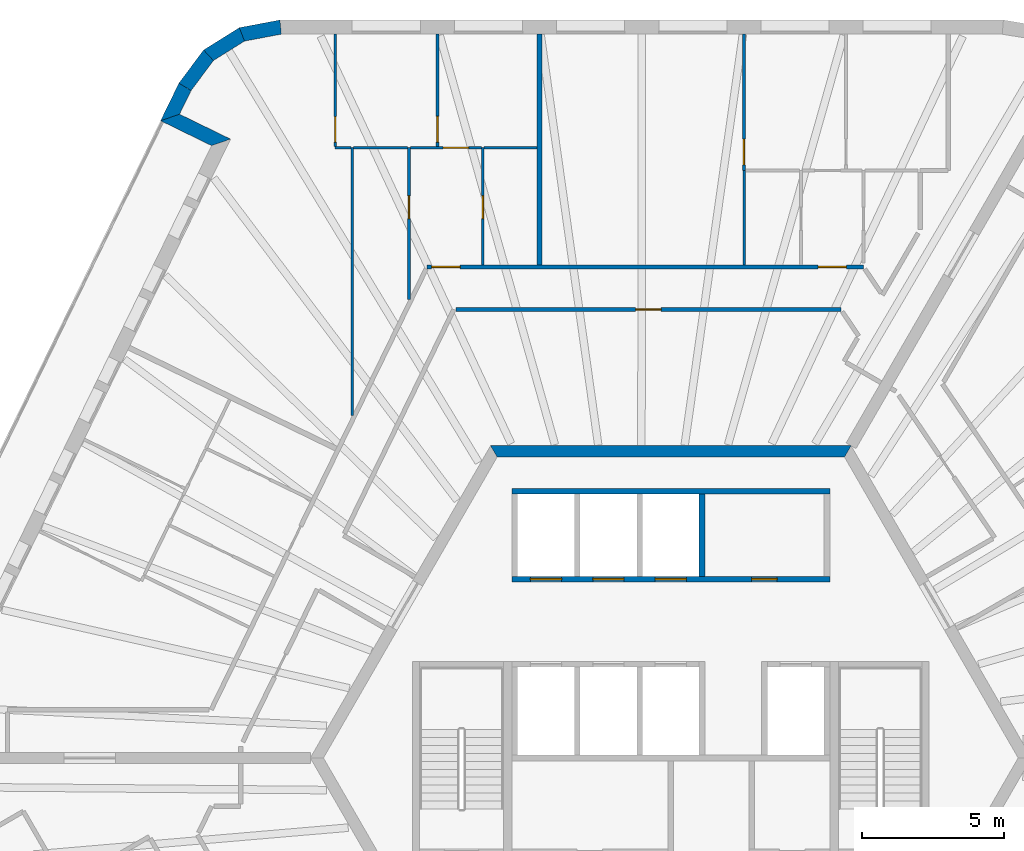
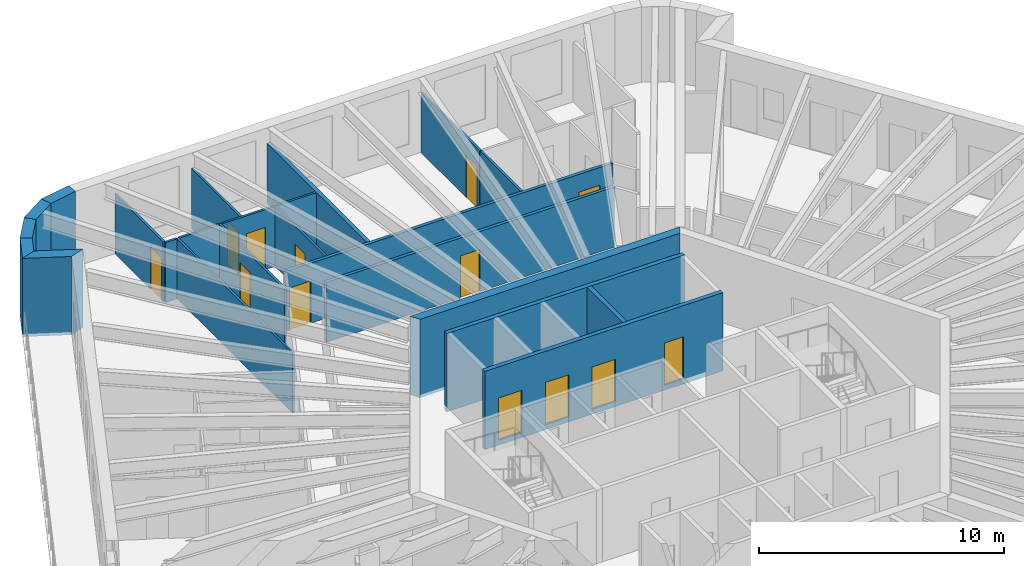
# One storey, part 9 of 12: 23 walls, 13 doors, 13 openings.
"""IFC4 building model written with IfcOpenShell, lengths in metres."""

from ifc_helpers import new_model, si_unit, direction, frame, frame_2d, origin, place, context, subcontext, project, spatial, polyline, rectangle, outline, extrude, material, layer, layer_set, type_object, element, fill, save


model = new_model("IFC4")

# Units and contexts
model_context = context("Model", 3, precision=1e-05, world=origin(), true_north=direction((0.0, 1.0)))
body_context = subcontext(model_context, "Body", "Model", "MODEL_VIEW")
ifc_project = project(units=[si_unit("LENGTHUNIT", "METRE"), si_unit("AREAUNIT", "SQUARE_METRE"), si_unit("VOLUMEUNIT", "CUBIC_METRE"), si_unit("PLANEANGLEUNIT", "RADIAN"), si_unit("MASSUNIT", "GRAM", prefix="KILO")], contexts=[model_context])

# Site, building, storey
site_placement = place(None, origin())
site = spatial("IfcSite", under=ifc_project, at=site_placement, CompositionType="ELEMENT")
building_placement = place(site_placement, origin())
building = spatial("IfcBuilding", under=site, at=building_placement, Name="Tarnside Tower", CompositionType="ELEMENT")
storey_placement = place(building_placement, frame((0.0, 0.0, 283.5)))
storey = spatial("IfcBuildingStorey", under=building, at=storey_placement, Name="L68", CompositionType="ELEMENT", Elevation=283.5)

# Walls
ifc_material_1 = material(Name="Gypsum board partition on steel studs", Category="steel")
ifc_layer_1 = layer(ifc_material_1, 0.10009765625)
ifc_layer_set_1 = layer_set([ifc_layer_1], Name="Bathroom wall 100")
wall_type_1 = type_object("IfcWallType", Name="Bathroom wall 100", PredefinedType="PARTITIONING", material=ifc_layer_set_1)
wall_1_placement = place(storey_placement, frame((2.586181640625, 17.375, 0.0), z_axis=(0.0, 0.0, 1.0), x_axis=(0.0, 1.0, 0.0)))
element("IfcWall", 1, at=wall_1_placement, inside=storey, type_object=wall_type_1, Name="Bathroom wall 22084", PredefinedType="PARTITIONING", context=body_context, shape_type="SweptSolid", body=[
    extrude(rectangle(XDim=3.324951171875, YDim=0.10009765625, at=frame_2d((1.66259765625, 0.0))), origin(), (0.0, 0.0, 1.0), 2.98779296875),
])
wall_2_placement = place(storey_placement, frame((-11.224853515625, 12.058837890625, 0.0), z_axis=(0.0, 0.0, 1.0), x_axis=(0.0, 1.0, 0.0)))
element("IfcWall", 2, at=wall_2_placement, inside=storey, type_object=wall_type_1, Name="Bathroom wall 22097", PredefinedType="PARTITIONING", context=body_context, shape_type="SweptSolid", body=[
    extrude(rectangle(XDim=9.441162109375, YDim=0.10009765625, at=frame_2d((4.720703125, 0.0))), origin(), (0.0, 0.0, 1.0), 2.98779296875),
])

# Wall, opening, door
wall_3_placement = place(storey_placement, frame((-6.624755859375, 17.375, 0.0), z_axis=(0.0, 0.0, 1.0), x_axis=(0.0, 1.0, 0.0)))
wall_3 = element("IfcWall", 3, at=wall_3_placement, inside=storey, type_object=wall_type_1, Name="Bathroom wall 22100", PredefinedType="PARTITIONING", context=body_context, shape_type="SweptSolid", body=[
    extrude(rectangle(XDim=4.125, YDim=0.10009765625, at=frame_2d((2.0625, 0.0))), origin(), (0.0, 0.0, 1.0), 2.98779296875),
])
opening_1_placement = place(wall_3_placement, frame((1.625, 0.0, 0.0)))
opening_1 = element("IfcOpeningElement", 4, at=opening_1_placement, cuts=wall_3, Name="Opening D-B1", PredefinedType="OPENING", context=body_context, shape_type="SweptSolid", body=[
    extrude(rectangle(XDim=0.800048828125, YDim=2.10009765625, at=frame_2d((0.39990234375, 1.050048828125))), frame((0.0, 0.06005859375, 0.0), z_axis=(0.0, -1.0, 0.0), x_axis=(1.0, 0.0, 0.0)), (0.0, 0.0, 1.0), 0.1201171875),
])
ifc_material_2 = material(Name="Timber door leaf", Category="wood")
door_type_1 = type_object("IfcDoorType", Name="Bathroom door 800", OperationType="NOTDEFINED", PredefinedType="DOOR", material=ifc_material_2)
door_1_placement = place(opening_1_placement, origin())
door_1 = element("IfcDoor", 5, at=door_1_placement, inside=storey, type_object=door_type_1, Name="Bathroom door 22013", OperationType="SINGLE_SWING_RIGHT", OverallHeight=2.10009765625, OverallWidth=0.800048828125, PredefinedType="DOOR", context=body_context, shape_type="SweptSolid", body=[
    extrude(rectangle(XDim=0.800048828125, YDim=2.10009765625, at=frame_2d((0.39990234375, 1.050048828125))), frame((0.0, 0.02490234375, 0.0), z_axis=(0.0, -1.0, 0.0), x_axis=(1.0, 0.0, 0.0)), (0.0, 0.0, 1.0), 0.050048828125),
])
fill(opening_1, door_1)

wall_4_placement = place(storey_placement, frame((-9.224853515625, 21.5, 0.0), z_axis=(0.0, 0.0, 1.0), x_axis=(0.0, -1.0, 0.0)))
wall_4 = element("IfcWall", 6, at=wall_4_placement, inside=storey, type_object=wall_type_1, Name="Bathroom wall 22103", PredefinedType="PARTITIONING", context=body_context, shape_type="SweptSolid", body=[
    extrude(rectangle(XDim=5.340576171875, YDim=0.10009765625, at=frame_2d((2.67041015625, 0.0))), origin(), (0.0, 0.0, 1.0), 2.98779296875),
])
opening_2_placement = place(wall_4_placement, frame((1.699951171875, 0.0, 0.0)))
opening_2 = element("IfcOpeningElement", 7, at=opening_2_placement, cuts=wall_4, Name="Opening D-B1", PredefinedType="OPENING", context=body_context, shape_type="SweptSolid", body=[
    extrude(rectangle(XDim=0.800048828125, YDim=2.10009765625, at=frame_2d((0.39990234375, 1.050048828125))), frame((0.0, 0.06005859375, 0.0), z_axis=(0.0, -1.0, 0.0), x_axis=(1.0, 0.0, 0.0)), (0.0, 0.0, 1.0), 0.1201171875),
])
door_2_placement = place(opening_2_placement, origin())
door_2 = element("IfcDoor", 8, at=door_2_placement, inside=storey, type_object=door_type_1, Name="Bathroom door 22020", OperationType="SINGLE_SWING_RIGHT", OverallHeight=2.10009765625, OverallWidth=0.800048828125, PredefinedType="DOOR", context=body_context, shape_type="SweptSolid", body=[
    extrude(rectangle(XDim=0.800048828125, YDim=2.10009765625, at=frame_2d((0.39990234375, 1.050048828125))), frame((0.0, 0.02490234375, 0.0), z_axis=(0.0, -1.0, 0.0), x_axis=(1.0, 0.0, 0.0)), (0.0, 0.0, 1.0), 0.050048828125),
])
fill(opening_2, door_2)

# Walls
wall_5_placement = place(storey_placement, frame((-4.71484375, 21.5, 0.0), z_axis=(0.0, 0.0, 1.0), x_axis=(-1.0, 0.0, 0.0)))
element("IfcWall", 9, at=wall_5_placement, inside=storey, type_object=wall_type_1, Name="Bathroom wall 22104", PredefinedType="PARTITIONING", context=body_context, shape_type="SweptSolid", body=[
    extrude(rectangle(XDim=1.862060546875, YDim=0.10009765625, at=frame_2d((0.93115234375, 0.0))), origin(), (0.0, 0.0, 1.0), 2.98779296875),
])
wall_6_placement = place(storey_placement, frame((-11.1748046875, 21.5, 0.0), z_axis=(0.0, 0.0, 1.0), x_axis=(1.0, 0.0, 0.0)))
element("IfcWall", 10, at=wall_6_placement, inside=storey, type_object=wall_type_1, Name="Bathroom wall 22106", PredefinedType="PARTITIONING", context=body_context, shape_type="SweptSolid", body=[
    extrude(rectangle(XDim=1.89990234375, YDim=0.10009765625, at=frame_2d((0.949951171875, 0.0))), origin(), (0.0, 0.0, 1.0), 2.98779296875),
])
ifc_material_3 = material(Name="Concrete C60/75", Category="concrete")
ifc_layer_2 = layer(ifc_material_3, 0.39990234375)
ifc_layer_set_2 = layer_set([ifc_layer_2], Name="Core wall Z3 400 C60/75")
wall_type_2 = type_object("IfcWallType", Name="Core wall Z3 400 C60/75", PredefinedType="SHEAR", material=ifc_layer_set_2)
wall_7_placement = place(storey_placement, frame((6.2353515625, 10.800048828125, -0.14990234375), z_axis=(0.0, 0.0, 1.0), x_axis=(-1.0, 0.0, 0.0)))
element("IfcWall", 11, at=wall_7_placement, inside=storey, type_object=wall_type_2, Name="L68 core wall face 1", PredefinedType="SHEAR", context=body_context, shape_type="SweptSolid", body=[
    extrude(outline(polyline([(-0.115478515625, -0.199951171875), (12.586181640625, -0.199951171875), (12.355224609375, 0.199951171875), (0.115478515625, 0.199951171875), (-0.115478515625, -0.199951171875)])), origin(), (0.0, 0.0, 1.0), 3.89990234375),
])

# Wall, openings, doors
ifc_layer_3 = layer(ifc_material_1, 0.14990234375)
ifc_layer_set_3 = layer_set([ifc_layer_3], Name="Corridor wall 150 EI 60")
wall_type_3 = type_object("IfcWallType", Name="Corridor wall 150 EI 60", PredefinedType="PARTITIONING", material=ifc_layer_set_3)
wall_8_placement = place(storey_placement, frame((6.7861328125, 17.300048828125, 0.0), z_axis=(0.0, 0.0, 1.0), x_axis=(-1.0, 0.0, 0.0)))
wall_8 = element("IfcWall", 12, at=wall_8_placement, inside=storey, type_object=wall_type_3, Name="Corridor wall 22001", PredefinedType="PARTITIONING", context=body_context, shape_type="SweptSolid", body=[
    extrude(rectangle(XDim=15.37109375, YDim=0.14990234375, at=frame_2d((7.685546875, 0.0))), origin(), (0.0, 0.0, 1.0), 2.98779296875),
])
opening_3_placement = place(wall_8_placement, frame((0.60009765625, 0.0, 0.0)))
opening_3 = element("IfcOpeningElement", 13, at=opening_3_placement, cuts=wall_8, Name="Opening D-E1", PredefinedType="OPENING", context=body_context, shape_type="SweptSolid", body=[
    extrude(rectangle(XDim=1.0, YDim=2.10009765625, at=frame_2d((0.5, 1.050048828125))), frame((0.0, 0.0849609375, 0.0), z_axis=(0.0, -1.0, 0.0), x_axis=(1.0, 0.0, 0.0)), (0.0, 0.0, 1.0), 0.169921875),
])
opening_4_placement = place(wall_8_placement, frame((14.2109375, 0.0, 0.0)))
opening_4 = element("IfcOpeningElement", 14, at=opening_4_placement, cuts=wall_8, Name="Opening D-E1", PredefinedType="OPENING", context=body_context, shape_type="SweptSolid", body=[
    extrude(rectangle(XDim=1.0, YDim=2.10009765625, at=frame_2d((0.5, 1.050048828125))), frame((0.0, 0.0849609375, 0.0), z_axis=(0.0, -1.0, 0.0), x_axis=(1.0, 0.0, 0.0)), (0.0, 0.0, 1.0), 0.169921875),
])
door_type_2 = type_object("IfcDoorType", Name="Unit entrance door 1000 FD30S", OperationType="NOTDEFINED", PredefinedType="DOOR", material=ifc_material_2)
door_3_placement = place(opening_3_placement, origin())
door_3 = element("IfcDoor", 15, at=door_3_placement, inside=storey, type_object=door_type_2, Name="Unit door 22001", OperationType="SINGLE_SWING_LEFT", OverallHeight=2.10009765625, OverallWidth=1.0, PredefinedType="DOOR", context=body_context, shape_type="SweptSolid", body=[
    extrude(rectangle(XDim=1.0, YDim=2.10009765625, at=frame_2d((0.5, 1.050048828125))), frame((0.0, 0.02490234375, 0.0), z_axis=(0.0, -1.0, 0.0), x_axis=(1.0, 0.0, 0.0)), (0.0, 0.0, 1.0), 0.050048828125),
])
fill(opening_3, door_3)
door_4_placement = place(opening_4_placement, origin())
door_4 = element("IfcDoor", 16, at=door_4_placement, inside=storey, type_object=door_type_2, Name="Unit door 22012", OperationType="SINGLE_SWING_LEFT", OverallHeight=2.10009765625, OverallWidth=1.0, PredefinedType="DOOR", context=body_context, shape_type="SweptSolid", body=[
    extrude(rectangle(XDim=1.0, YDim=2.10009765625, at=frame_2d((0.5, 1.050048828125))), frame((0.0, 0.02490234375, 0.0), z_axis=(0.0, -1.0, 0.0), x_axis=(1.0, 0.0, 0.0)), (0.0, 0.0, 1.0), 0.050048828125),
])
fill(opening_4, door_4)

# Wall, opening, door
wall_9_placement = place(storey_placement, frame((-7.564208984375, 15.800048828125, 0.0), z_axis=(0.0, 0.0, 1.0), x_axis=(1.0, 0.0, 0.0)))
wall_9 = element("IfcWall", 17, at=wall_9_placement, inside=storey, type_object=wall_type_3, Name="Corridor wall 22022", PredefinedType="PARTITIONING", context=body_context, shape_type="SweptSolid", body=[
    extrude(rectangle(XDim=13.552734375, YDim=0.14990234375, at=frame_2d((6.7763671875, 0.0))), origin(), (0.0, 0.0, 1.0), 2.98779296875),
])
opening_5_placement = place(wall_9_placement, frame((6.326416015625, 0.0, 0.0)))
opening_5 = element("IfcOpeningElement", 18, at=opening_5_placement, cuts=wall_9, Name="Opening D-S1", PredefinedType="OPENING", context=body_context, shape_type="SweptSolid", body=[
    extrude(rectangle(XDim=0.89990234375, YDim=2.10009765625, at=frame_2d((0.449951171875, 1.050048828125))), frame((0.0, 0.0849609375, 0.0), z_axis=(0.0, -1.0, 0.0), x_axis=(1.0, 0.0, 0.0)), (0.0, 0.0, 1.0), 0.169921875),
])
door_type_3 = type_object("IfcDoorType", Name="Service room door 900 FD30S", OperationType="NOTDEFINED", PredefinedType="DOOR", material=ifc_material_2)
door_5_placement = place(opening_5_placement, origin())
door_5 = element("IfcDoor", 19, at=door_5_placement, inside=storey, type_object=door_type_3, Name="Service door 22086", OperationType="SINGLE_SWING_LEFT", OverallHeight=2.10009765625, OverallWidth=0.89990234375, PredefinedType="DOOR", context=body_context, shape_type="SweptSolid", body=[
    extrude(rectangle(XDim=0.89990234375, YDim=2.10009765625, at=frame_2d((0.449951171875, 1.050048828125))), frame((0.0, 0.02490234375, 0.0), z_axis=(0.0, -1.0, 0.0), x_axis=(1.0, 0.0, 0.0)), (0.0, 0.0, 1.0), 0.050048828125),
])
fill(opening_5, door_5)

# Wall
ifc_layer_4 = layer(ifc_material_1, 0.179931640625)
ifc_layer_set_4 = layer_set([ifc_layer_4], Name="Demising wall 180 EI 60")
wall_type_4 = type_object("IfcWallType", Name="Demising wall 180 EI 60", PredefinedType="PARTITIONING", material=ifc_layer_set_4)
wall_10_placement = place(storey_placement, frame((-4.624755859375, 25.5, 0.0), z_axis=(0.0, 0.0, 1.0), x_axis=(0.0, -1.0, 0.0)))
element("IfcWall", 20, at=wall_10_placement, inside=storey, type_object=wall_type_4, Name="Demising wall 22086", PredefinedType="PARTITIONING", context=body_context, shape_type="SweptSolid", body=[
    extrude(rectangle(XDim=8.125, YDim=0.179931640625, at=frame_2d((4.0625, 0.0))), origin(), (0.0, 0.0, 1.0), 2.98779296875),
])

# Wall, openings, doors
ifc_material_4 = material(Name="Concrete C40/50", Category="concrete")
ifc_layer_5 = layer(ifc_material_4, 0.199951171875)
ifc_layer_set_5 = layer_set([ifc_layer_5], Name="Lift shaft wall 200 C40/50")
wall_type_5 = type_object("IfcWallType", Name="Lift shaft wall 200 C40/50", PredefinedType="SHEAR", material=ifc_layer_set_5)
wall_11_placement = place(storey_placement, frame((-5.60009765625, 6.300048828125, -0.25), z_axis=(0.0, 0.0, 1.0), x_axis=(1.0, 0.0, 0.0)))
wall_11 = element("IfcWall", 21, at=wall_11_placement, inside=storey, type_object=wall_type_5, Name="L68 lift shaft front wall R1", PredefinedType="SHEAR", context=body_context, shape_type="SweptSolid", body=[
    extrude(rectangle(XDim=11.2001953125, YDim=0.199951171875, at=frame_2d((5.60009765625, 0.0))), origin(), (0.0, 0.0, 1.0), 3.89990234375),
])
opening_6_placement = place(wall_11_placement, frame((8.449951171875, 0.0, 0.25)))
opening_6 = element("IfcOpeningElement", 22, at=opening_6_placement, cuts=wall_11, Name="Opening CD-room", PredefinedType="OPENING", context=body_context, shape_type="SweptSolid", body=[
    extrude(rectangle(XDim=0.89990234375, YDim=2.10009765625, at=frame_2d((0.449951171875, 1.050048828125))), frame((0.0, 0.10986328125, 0.0), z_axis=(0.0, -1.0, 0.0), x_axis=(1.0, 0.0, 0.0)), (0.0, 0.0, 1.0), 0.219970703125),
])
opening_7_placement = place(wall_11_placement, frame((0.64990234375, 0.0, 0.25)))
opening_7 = element("IfcOpeningElement", 23, at=opening_7_placement, cuts=wall_11, Name="Opening LD", PredefinedType="OPENING", context=body_context, shape_type="SweptSolid", body=[
    extrude(rectangle(XDim=1.10009765625, YDim=2.10009765625, at=frame_2d((0.550048828125, 1.050048828125))), frame((0.0, 0.10986328125, 0.0), z_axis=(0.0, -1.0, 0.0), x_axis=(1.0, 0.0, 0.0)), (0.0, 0.0, 1.0), 0.219970703125),
])
opening_8_placement = place(wall_11_placement, frame((2.85009765625, 0.0, 0.25)))
opening_8 = element("IfcOpeningElement", 24, at=opening_8_placement, cuts=wall_11, Name="Opening LD", PredefinedType="OPENING", context=body_context, shape_type="SweptSolid", body=[
    extrude(rectangle(XDim=1.10009765625, YDim=2.10009765625, at=frame_2d((0.550048828125, 1.050048828125))), frame((0.0, 0.10986328125, 0.0), z_axis=(0.0, -1.0, 0.0), x_axis=(1.0, 0.0, 0.0)), (0.0, 0.0, 1.0), 0.219970703125),
])
opening_9_placement = place(wall_11_placement, frame((5.050048828125, 0.0, 0.25)))
opening_9 = element("IfcOpeningElement", 25, at=opening_9_placement, cuts=wall_11, Name="Opening LD", PredefinedType="OPENING", context=body_context, shape_type="SweptSolid", body=[
    extrude(rectangle(XDim=1.10009765625, YDim=2.10009765625, at=frame_2d((0.550048828125, 1.050048828125))), frame((0.0, 0.10986328125, 0.0), z_axis=(0.0, -1.0, 0.0), x_axis=(1.0, 0.0, 0.0)), (0.0, 0.0, 1.0), 0.219970703125),
])
ifc_material_5 = material(Name="Stainless steel", Category="steel")
door_type_4 = type_object("IfcDoorType", Name="Lift landing door 1100x2100", OperationType="NOTDEFINED", PredefinedType="DOOR", material=ifc_material_5)
door_6_placement = place(opening_7_placement, origin())
door_6 = element("IfcDoor", 26, at=door_6_placement, inside=storey, type_object=door_type_4, Name="High-rise lift 1 landing door L68", OperationType="SLIDING_TO_LEFT", OverallHeight=2.10009765625, OverallWidth=1.10009765625, PredefinedType="DOOR", context=body_context, shape_type="SweptSolid", body=[
    extrude(rectangle(XDim=1.10009765625, YDim=2.10009765625, at=frame_2d((0.550048828125, 1.050048828125))), frame((0.0, 0.02490234375, 0.0), z_axis=(0.0, -1.0, 0.0), x_axis=(1.0, 0.0, 0.0)), (0.0, 0.0, 1.0), 0.050048828125),
])
fill(opening_7, door_6)
door_7_placement = place(opening_8_placement, origin())
door_7 = element("IfcDoor", 27, at=door_7_placement, inside=storey, type_object=door_type_4, Name="High-rise lift 2 landing door L68", OperationType="SLIDING_TO_LEFT", OverallHeight=2.10009765625, OverallWidth=1.10009765625, PredefinedType="DOOR", context=body_context, shape_type="SweptSolid", body=[
    extrude(rectangle(XDim=1.10009765625, YDim=2.10009765625, at=frame_2d((0.550048828125, 1.050048828125))), frame((0.0, 0.02490234375, 0.0), z_axis=(0.0, -1.0, 0.0), x_axis=(1.0, 0.0, 0.0)), (0.0, 0.0, 1.0), 0.050048828125),
])
fill(opening_8, door_7)
door_8_placement = place(opening_9_placement, origin())
door_8 = element("IfcDoor", 28, at=door_8_placement, inside=storey, type_object=door_type_4, Name="High-rise lift 3 landing door L68", OperationType="SLIDING_TO_LEFT", OverallHeight=2.10009765625, OverallWidth=1.10009765625, PredefinedType="DOOR", context=body_context, shape_type="SweptSolid", body=[
    extrude(rectangle(XDim=1.10009765625, YDim=2.10009765625, at=frame_2d((0.550048828125, 1.050048828125))), frame((0.0, 0.02490234375, 0.0), z_axis=(0.0, -1.0, 0.0), x_axis=(1.0, 0.0, 0.0)), (0.0, 0.0, 1.0), 0.050048828125),
])
fill(opening_9, door_8)
ifc_material_6 = material(Name="Steel fire door", Category="steel")
door_type_5 = type_object("IfcDoorType", Name="Room door FD60 900x2100", OperationType="NOTDEFINED", PredefinedType="DOOR", material=ifc_material_6)
door_9_placement = place(opening_6_placement, origin())
door_9 = element("IfcDoor", 29, at=door_9_placement, inside=storey, type_object=door_type_5, Name="L68 core room door FC1", OperationType="SINGLE_SWING_LEFT", OverallHeight=2.10009765625, OverallWidth=0.89990234375, PredefinedType="DOOR", context=body_context, shape_type="SweptSolid", body=[
    extrude(rectangle(XDim=0.89990234375, YDim=2.10009765625, at=frame_2d((0.449951171875, 1.050048828125))), frame((0.0, 0.02490234375, 0.0), z_axis=(0.0, -1.0, 0.0), x_axis=(1.0, 0.0, 0.0)), (0.0, 0.0, 1.0), 0.050048828125),
])
fill(opening_6, door_9)

# Walls
wall_12_placement = place(storey_placement, frame((-5.60009765625, 9.39990234375, -0.25), z_axis=(0.0, 0.0, 1.0), x_axis=(1.0, 0.0, 0.0)))
element("IfcWall", 30, at=wall_12_placement, inside=storey, type_object=wall_type_5, Name="L68 lift shaft back wall R1", PredefinedType="SHEAR", context=body_context, shape_type="SweptSolid", body=[
    extrude(rectangle(XDim=11.2001953125, YDim=0.199951171875, at=frame_2d((5.60009765625, 0.0))), origin(), (0.0, 0.0, 1.0), 3.89990234375),
])
wall_13_placement = place(storey_placement, frame((1.10009765625, 6.39990234375, -0.25), z_axis=(0.0, 0.0, 1.0), x_axis=(0.0, 1.0, 0.0)))
element("IfcWall", 31, at=wall_13_placement, inside=storey, type_object=wall_type_5, Name="L68 lift shaft partition R14", PredefinedType="SHEAR", context=body_context, shape_type="SweptSolid", body=[
    extrude(rectangle(XDim=2.900146484375, YDim=0.199951171875, at=frame_2d((1.4501953125, 0.0))), origin(), (0.0, 0.0, 1.0), 3.89990234375),
])
ifc_material_7 = material(Name="Dark zinc cladding")
ifc_layer_6 = layer(ifc_material_7, 0.10205078125)
ifc_material_8 = material(Name="Concrete C60/75 precast", Category="concrete")
ifc_layer_7 = layer(ifc_material_8, 0.298095703125)
ifc_material_9 = material(Name="Mineral wool insulation")
ifc_layer_8 = layer(ifc_material_9, 0.10009765625)
ifc_layer_set_6 = layer_set([ifc_layer_6, ifc_layer_7, ifc_layer_8], Name="Loggia wall 500 zinc faced")
wall_type_6 = type_object("IfcWallType", Name="Loggia wall 500 zinc faced", PredefinedType="SOLIDWALL", material=ifc_layer_set_6)
wall_14_placement = place(storey_placement, frame((-17.11767578125, 23.643798828125, -0.14990234375), z_axis=(0.0, 0.0, 1.0), x_axis=(-0.438319390103, -0.898819287877, 0.0)))
element("IfcWall", 32, at=wall_14_placement, inside=storey, type_object=wall_type_6, Name="Tube wall L68 F2 stub 04", PredefinedType="SOLIDWALL", context=body_context, shape_type="SweptSolid", body=[
    extrude(outline(polyline([(-0.0234375, -0.25), (1.44970703125, -0.25), (0.94970703125, 0.25), (0.0234375, 0.25), (-0.0234375, -0.25)])), origin(), (0.0, 0.0, 1.0), 3.89990234375),
])
wall_15_placement = place(storey_placement, frame((-17.6435546875, 22.5654296875, -0.14990234375), z_axis=(0.0, 0.0, 1.0), x_axis=(0.898754367686, -0.43845249066, 0.0)))
element("IfcWall", 33, at=wall_15_placement, inside=storey, type_object=wall_type_6, Name="Tube wall L68 F2 return 05", PredefinedType="SOLIDWALL", context=body_context, shape_type="SweptSolid", body=[
    extrude(outline(polyline([(-0.25, -0.25), (1.75, -0.25), (2.25, 0.25), (0.25, 0.25), (-0.25, -0.25)])), origin(), (0.0, 0.0, 1.0), 3.89990234375),
])

# Wall, opening, door
ifc_layer_9 = layer(ifc_material_1, 0.10009765625)
ifc_layer_set_7 = layer_set([ifc_layer_9], Name="Partition 100")
wall_type_7 = type_object("IfcWallType", Name="Partition 100", PredefinedType="PARTITIONING", material=ifc_layer_set_7)
wall_16_placement = place(storey_placement, frame((2.5751953125, 20.699951171875, 0.0), z_axis=(0.0, 0.0, 1.0), x_axis=(0.0, 1.0, 0.0)))
wall_16 = element("IfcWall", 34, at=wall_16_placement, inside=storey, type_object=wall_type_7, Name="Partition wall 22085", PredefinedType="PARTITIONING", context=body_context, shape_type="SweptSolid", body=[
    extrude(rectangle(XDim=4.800048828125, YDim=0.10009765625, at=frame_2d((2.39990234375, 0.0))), origin(), (0.0, 0.0, 1.0), 2.98779296875),
])
opening_10_placement = place(wall_16_placement, frame((0.199951171875, 0.0, 0.0)))
opening_10 = element("IfcOpeningElement", 35, at=opening_10_placement, cuts=wall_16, Name="Opening D-I1", PredefinedType="OPENING", context=body_context, shape_type="SweptSolid", body=[
    extrude(rectangle(XDim=0.89990234375, YDim=2.10009765625, at=frame_2d((0.449951171875, 1.050048828125))), frame((0.0, 0.06005859375, 0.0), z_axis=(0.0, -1.0, 0.0), x_axis=(1.0, 0.0, 0.0)), (0.0, 0.0, 1.0), 0.1201171875),
])
door_type_6 = type_object("IfcDoorType", Name="Internal door 900", OperationType="NOTDEFINED", PredefinedType="DOOR", material=ifc_material_2)
door_10_placement = place(opening_10_placement, origin())
door_10 = element("IfcDoor", 36, at=door_10_placement, inside=storey, type_object=door_type_6, Name="Internal door 22010", OperationType="SINGLE_SWING_RIGHT", OverallHeight=2.10009765625, OverallWidth=0.89990234375, PredefinedType="DOOR", context=body_context, shape_type="SweptSolid", body=[
    extrude(rectangle(XDim=0.89990234375, YDim=2.10009765625, at=frame_2d((0.449951171875, 1.050048828125))), frame((0.0, 0.02490234375, 0.0), z_axis=(0.0, -1.0, 0.0), x_axis=(1.0, 0.0, 0.0)), (0.0, 0.0, 1.0), 0.050048828125),
])
fill(opening_10, door_10)

# Wall
wall_17_placement = place(storey_placement, frame((-11.272705078125, 21.5, 0.0), z_axis=(0.0, 0.0, 1.0), x_axis=(-1.0, 0.0, 0.0)))
element("IfcWall", 37, at=wall_17_placement, inside=storey, type_object=wall_type_7, Name="Partition wall 22095", PredefinedType="PARTITIONING", context=body_context, shape_type="SweptSolid", body=[
    extrude(rectangle(XDim=0.552001953125, YDim=0.10009765625, at=frame_2d((0.27587890625, 0.0))), origin(), (0.0, 0.0, 1.0), 2.98779296875),
])

# Wall, opening, door
wall_18_placement = place(storey_placement, frame((-11.82470703125, 21.550048828125, 0.0), z_axis=(0.0, 0.0, 1.0), x_axis=(0.0, 1.0, 0.0)))
wall_18 = element("IfcWall", 38, at=wall_18_placement, inside=storey, type_object=wall_type_7, Name="Partition wall 22096", PredefinedType="PARTITIONING", context=body_context, shape_type="SweptSolid", body=[
    extrude(rectangle(XDim=3.949951171875, YDim=0.10009765625, at=frame_2d((1.97509765625, 0.0))), origin(), (0.0, 0.0, 1.0), 2.98779296875),
])
opening_11_placement = place(wall_18_placement, frame((0.14990234375, 0.0, 0.0)))
opening_11 = element("IfcOpeningElement", 39, at=opening_11_placement, cuts=wall_18, Name="Opening D-I1", PredefinedType="OPENING", context=body_context, shape_type="SweptSolid", body=[
    extrude(rectangle(XDim=0.89990234375, YDim=2.10009765625, at=frame_2d((0.449951171875, 1.050048828125))), frame((0.0, 0.06005859375, 0.0), z_axis=(0.0, -1.0, 0.0), x_axis=(1.0, 0.0, 0.0)), (0.0, 0.0, 1.0), 0.1201171875),
])
door_11_placement = place(opening_11_placement, origin())
door_11 = element("IfcDoor", 40, at=door_11_placement, inside=storey, type_object=door_type_6, Name="Internal door 22019", OperationType="SINGLE_SWING_RIGHT", OverallHeight=2.10009765625, OverallWidth=0.89990234375, PredefinedType="DOOR", context=body_context, shape_type="SweptSolid", body=[
    extrude(rectangle(XDim=0.89990234375, YDim=2.10009765625, at=frame_2d((0.449951171875, 1.050048828125))), frame((0.0, 0.02490234375, 0.0), z_axis=(0.0, -1.0, 0.0), x_axis=(1.0, 0.0, 0.0)), (0.0, 0.0, 1.0), 0.050048828125),
])
fill(opening_11, door_11)

wall_19_placement = place(storey_placement, frame((-6.6728515625, 21.5, 0.0), z_axis=(0.0, 0.0, 1.0), x_axis=(-1.0, 0.0, 0.0)))
wall_19 = element("IfcWall", 41, at=wall_19_placement, inside=storey, type_object=wall_type_7, Name="Partition wall 22101", PredefinedType="PARTITIONING", context=body_context, shape_type="SweptSolid", body=[
    extrude(rectangle(XDim=2.50390625, YDim=0.10009765625, at=frame_2d((1.251953125, 0.0))), origin(), (0.0, 0.0, 1.0), 2.98779296875),
])
opening_12_placement = place(wall_19_placement, frame((0.451904296875, 0.0, 0.0)))
opening_12 = element("IfcOpeningElement", 42, at=opening_12_placement, cuts=wall_19, Name="Opening D-I1", PredefinedType="OPENING", context=body_context, shape_type="SweptSolid", body=[
    extrude(rectangle(XDim=0.89990234375, YDim=2.10009765625, at=frame_2d((0.449951171875, 1.050048828125))), frame((0.0, 0.06005859375, 0.0), z_axis=(0.0, -1.0, 0.0), x_axis=(1.0, 0.0, 0.0)), (0.0, 0.0, 1.0), 0.1201171875),
])
door_12_placement = place(opening_12_placement, origin())
door_12 = element("IfcDoor", 43, at=door_12_placement, inside=storey, type_object=door_type_6, Name="Internal door 22015", OperationType="SINGLE_SWING_LEFT", OverallHeight=2.10009765625, OverallWidth=0.89990234375, PredefinedType="DOOR", context=body_context, shape_type="SweptSolid", body=[
    extrude(rectangle(XDim=0.89990234375, YDim=2.10009765625, at=frame_2d((0.449951171875, 1.050048828125))), frame((0.0, 0.02490234375, 0.0), z_axis=(0.0, -1.0, 0.0), x_axis=(1.0, 0.0, 0.0)), (0.0, 0.0, 1.0), 0.050048828125),
])
fill(opening_12, door_12)

wall_20_placement = place(storey_placement, frame((-8.224853515625, 25.5, 0.0), z_axis=(0.0, 0.0, 1.0), x_axis=(0.0, -1.0, 0.0)))
wall_20 = element("IfcWall", 44, at=wall_20_placement, inside=storey, type_object=wall_type_7, Name="Partition wall 22105", PredefinedType="PARTITIONING", context=body_context, shape_type="SweptSolid", body=[
    extrude(rectangle(XDim=3.949951171875, YDim=0.10009765625, at=frame_2d((1.97509765625, 0.0))), origin(), (0.0, 0.0, 1.0), 2.98779296875),
])
opening_13_placement = place(wall_20_placement, frame((2.89990234375, 0.0, 0.0)))
opening_13 = element("IfcOpeningElement", 45, at=opening_13_placement, cuts=wall_20, Name="Opening D-I1", PredefinedType="OPENING", context=body_context, shape_type="SweptSolid", body=[
    extrude(rectangle(XDim=0.89990234375, YDim=2.10009765625, at=frame_2d((0.449951171875, 1.050048828125))), frame((0.0, 0.06005859375, 0.0), z_axis=(0.0, -1.0, 0.0), x_axis=(1.0, 0.0, 0.0)), (0.0, 0.0, 1.0), 0.1201171875),
])
door_13_placement = place(opening_13_placement, origin())
door_13 = element("IfcDoor", 46, at=door_13_placement, inside=storey, type_object=door_type_6, Name="Internal door 22018", OperationType="SINGLE_SWING_RIGHT", OverallHeight=2.10009765625, OverallWidth=0.89990234375, PredefinedType="DOOR", context=body_context, shape_type="SweptSolid", body=[
    extrude(rectangle(XDim=0.89990234375, YDim=2.10009765625, at=frame_2d((0.449951171875, 1.050048828125))), frame((0.0, 0.02490234375, 0.0), z_axis=(0.0, -1.0, 0.0), x_axis=(1.0, 0.0, 0.0)), (0.0, 0.0, 1.0), 0.050048828125),
])
fill(opening_13, door_13)

# Walls
ifc_material_10 = material(Name="Facing brick", Category="masonry")
ifc_layer_10 = layer(ifc_material_10, 0.10205078125)
ifc_layer_11 = layer(ifc_material_8, 0.298095703125)
ifc_layer_12 = layer(ifc_material_9, 0.10009765625)
ifc_layer_set_8 = layer_set([ifc_layer_10, ifc_layer_11, ifc_layer_12], Name="Tube wall 500 brick faced")
wall_type_8 = type_object("IfcWallType", Name="Tube wall 500 brick faced", PredefinedType="SOLIDWALL", material=ifc_layer_set_8)
wall_21_placement = place(storey_placement, frame((-13.7470703125, 25.75, -0.14990234375), z_axis=(0.0, 0.0, 1.0), x_axis=(-0.982736538448, -0.185010529429, 0.0)))
element("IfcWall", 47, at=wall_21_placement, inside=storey, type_object=wall_type_8, Name="Tube wall L68 F1 chord 01", PredefinedType="SOLIDWALL", context=body_context, shape_type="SweptSolid", body=[
    extrude(outline(polyline([(-0.0234375, -0.25), (1.435302734375, -0.25), (1.341064453125, 0.25), (0.0234375, 0.25), (-0.0234375, -0.25)])), origin(), (0.0, 0.0, 1.0), 3.89990234375),
])
wall_22_placement = place(storey_placement, frame((-15.111328125, 25.4931640625, -0.14990234375), z_axis=(0.0, 0.0, 1.0), x_axis=(-0.847978544293, -0.530030554231, 0.0)))
element("IfcWall", 48, at=wall_22_placement, inside=storey, type_object=wall_type_8, Name="Tube wall L68 F1 chord 02", PredefinedType="SOLIDWALL", context=body_context, shape_type="SweptSolid", body=[
    extrude(outline(polyline([(-0.047119140625, -0.25), (1.435302734375, -0.25), (1.341064453125, 0.25), (0.047119140625, 0.25), (-0.047119140625, -0.25)])), origin(), (0.0, 0.0, 1.0), 3.89990234375),
])
wall_23_placement = place(storey_placement, frame((-16.28857421875, 24.75732421875, -0.14990234375), z_axis=(0.0, 0.0, 1.0), x_axis=(-0.597210785942, -0.802084332945, 0.0)))
element("IfcWall", 49, at=wall_23_placement, inside=storey, type_object=wall_type_8, Name="Tube wall L68 F1 chord 03", PredefinedType="SOLIDWALL", context=body_context, shape_type="SweptSolid", body=[
    extrude(outline(polyline([(-0.047119140625, -0.25), (1.41162109375, -0.25), (1.36474609375, 0.25), (0.047119140625, 0.25), (-0.047119140625, -0.25)])), origin(), (0.0, 0.0, 1.0), 3.89990234375),
])

save(model, "model.ifc")
